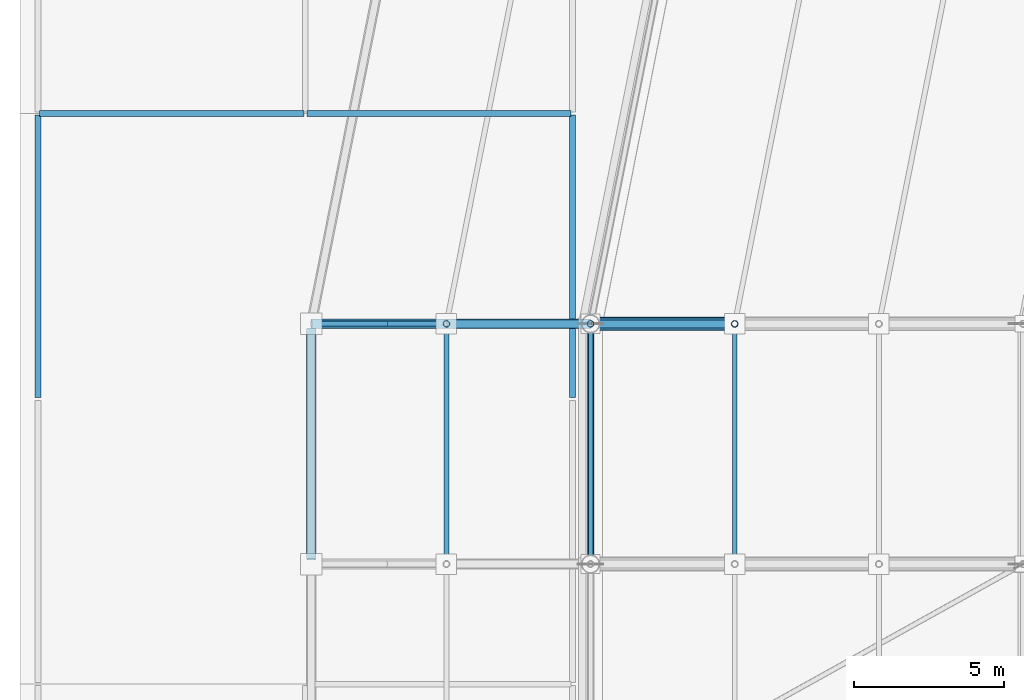
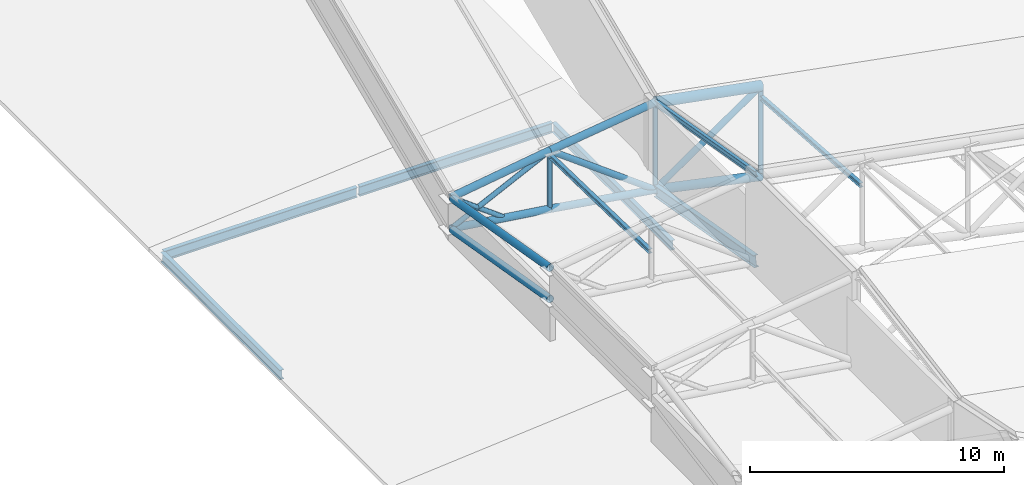
# One storey, part 39 of 146: 17 members, 6 beams.
"""IFC4 building model written with IfcOpenShell, lengths in metres."""

from ifc_helpers import new_model, si_unit, direction, frame, origin, origin_2d, place, context, subcontext, project, spatial, hollow_circle, i_section, extrude, material, material_profile, profile_set, type_object, element, save


model = new_model("IFC4")

# Units and contexts
model_context = context("Model", 3, precision=1e-05, world=origin(), true_north=direction((0.0, 1.0)))
body_context = subcontext(model_context, "Body", "Model", "MODEL_VIEW")
ifc_project = project(units=[si_unit("LENGTHUNIT", "METRE"), si_unit("AREAUNIT", "SQUARE_METRE"), si_unit("VOLUMEUNIT", "CUBIC_METRE"), si_unit("PLANEANGLEUNIT", "RADIAN"), si_unit("MASSUNIT", "GRAM", prefix="KILO")], contexts=[model_context])

# Site, building, storey
site_placement = place(None, origin())
site = spatial("IfcSite", under=ifc_project, at=site_placement, CompositionType="ELEMENT")
building_placement = place(site_placement, origin())
building = spatial("IfcBuilding", under=site, at=building_placement, Name="Candeia Ridge Stadium", CompositionType="ELEMENT")
storey_placement = place(building_placement, frame((0.0, 0.0, 31.800048828125)))
storey = spatial("IfcBuildingStorey", under=building, at=storey_placement, Name="RF", CompositionType="ELEMENT", Elevation=31.800048828125)

# Beams
ifc_material = material(Name="Steel ASTM A572 Grade 50", Category="steel")
ifc_material_profile_1 = material_profile(ifc_material, i_section(OverallWidth=0.14794921875, OverallDepth=0.26611328125, WebThickness=0.007568359375, FlangeThickness=0.012939453125, FilletRadius=0.010986328125, at=origin_2d()), Name="W250x44.8", Category="steel")
ifc_profile_set_1 = profile_set([ifc_material_profile_1], Name="Steel ASTM A572 Grade 50")
beam_type_1 = type_object("IfcBeamType", Name="Canopy Edge Spandrel W250x44.8", PredefinedType="SPANDREL", material=ifc_profile_set_1)
beam_1_placement = place(storey_placement, frame((19.0, 94.960693359375, 4.606689453125), z_axis=(0.0, -0.985328318339, 0.170669578656), x_axis=(1.0, 0.0, 0.0)))
element("IfcBeam", 1, at=beam_1_placement, inside=storey, type_object=beam_type_1, Name="Roof crown cap ring beam bay 12", PredefinedType="SPANDREL", context=body_context, shape_type="SweptSolid", body=[
    extrude(i_section(OverallWidth=0.14794921875, OverallDepth=0.26611328125, WebThickness=0.007568359375, FlangeThickness=0.012939453125, FilletRadius=0.010986328125, at=origin_2d()), origin(), (0.0, 0.0, 1.0), 8.039306640625),
])
ifc_material_profile_2 = material_profile(ifc_material, i_section(OverallWidth=0.194091796875, OverallDepth=0.468994140625, WebThickness=0.0126953125, FlangeThickness=0.0205078125, FilletRadius=0.012939453125, at=origin_2d()), Name="W460x106", Category="steel")
ifc_profile_set_2 = profile_set([ifc_material_profile_2], Name="Steel ASTM A572 Grade 50")
beam_type_2 = type_object("IfcBeamType", Name="Gondola Primary Girder W460x106", PredefinedType="BEAM", material=ifc_profile_set_2)
for number, where, z_axis, x_axis, name in (
    (2, (0.64990234375, 102.0, -0.58447265625), (1.0, 0.0, 0.0), (0.0, 1.0, 0.0), "Structural girder BM-RF-1442"),
    (3, (9.550048828125, 102.0, -0.58447265625), (1.0, 0.0, 0.0), (0.0, 1.0, 0.0), "Structural girder BM-RF-1449"),
):
    element("IfcBeam", number, at=place(storey_placement, frame(where, z_axis=z_axis, x_axis=x_axis)), inside=storey, type_object=beam_type_2, Name=name, PredefinedType="BEAM", context=body_context, shape_type="SweptSolid", body=[
        extrude(i_section(OverallWidth=0.194091796875, OverallDepth=0.468994140625, WebThickness=0.0126953125, FlangeThickness=0.0205078125, FilletRadius=0.012939453125, at=origin_2d()), origin(), (0.0, 0.0, 1.0), 8.800048828125),
    ])
ifc_material_profile_3 = material_profile(ifc_material, i_section(OverallWidth=0.18994140625, OverallDepth=0.45703125, WebThickness=0.009033203125, FlangeThickness=0.014404296875, FilletRadius=0.012939453125, at=origin_2d()), Name="W460x74", Category="steel")
ifc_profile_set_3 = profile_set([ifc_material_profile_3], Name="Steel ASTM A572 Grade 50")
beam_type_3 = type_object("IfcBeamType", Name="Pavilion Steel Girder W460x74", PredefinedType="BEAM", material=ifc_profile_set_3)
for number, where, z_axis, x_axis, name in (
    (4, (0.60009765625, 92.550048828125, -0.57861328125), (0.0, 1.0, 0.0), (-1.0, 0.0, 0.0), "Structural girder BM-RF-1424"),
    (5, (18.39990234375, 92.550048828125, -0.57861328125), (0.0, 1.0, 0.0), (-1.0, 0.0, 0.0), "Structural girder BM-RF-1437"),
):
    element("IfcBeam", number, at=place(storey_placement, frame(where, z_axis=z_axis, x_axis=x_axis)), inside=storey, type_object=beam_type_3, Name=name, PredefinedType="BEAM", context=body_context, shape_type="SweptSolid", body=[
        extrude(i_section(OverallWidth=0.18994140625, OverallDepth=0.45703125, WebThickness=0.009033203125, FlangeThickness=0.014404296875, FilletRadius=0.012939453125, at=origin_2d()), origin(), (0.0, 0.0, 1.0), 9.39990234375),
    ])
ifc_material_profile_4 = material_profile(ifc_material, i_section(OverallWidth=0.2119140625, OverallDepth=0.5439453125, WebThickness=0.01318359375, FlangeThickness=0.021240234375, FilletRadius=0.013916015625, at=origin_2d()), Name="W530x123", Category="steel")
ifc_profile_set_4 = profile_set([ifc_material_profile_4], Name="Steel ASTM A572 Grade 50")
beam_type_4 = type_object("IfcBeamType", Name="Roof Perimeter Ring Beam W530x123", PredefinedType="BEAM", material=ifc_profile_set_4)
beam_2_placement = place(storey_placement, frame((19.0, 94.960693359375, 0.40673828125), z_axis=(0.0, -0.985328318339, 0.170669578656), x_axis=(1.0, 0.0, 0.0)))
element("IfcBeam", 6, at=beam_2_placement, inside=storey, type_object=beam_type_4, Name="Roof perimeter ring beam bay 12", PredefinedType="BEAM", context=body_context, shape_type="SweptSolid", body=[
    extrude(i_section(OverallWidth=0.2119140625, OverallDepth=0.5439453125, WebThickness=0.01318359375, FlangeThickness=0.021240234375, FilletRadius=0.013916015625, at=origin_2d()), origin(), (0.0, 0.0, 1.0), 8.039306640625),
])

# Members
ifc_material_profile_5 = material_profile(ifc_material, i_section(OverallWidth=0.1650390625, OverallDepth=0.200927734375, WebThickness=0.006103515625, FlangeThickness=0.01025390625, FilletRadius=0.010009765625, at=origin_2d()), Name="W200x35.9", Category="steel")
ifc_profile_set_5 = profile_set([ifc_material_profile_5], Name="Steel ASTM A572 Grade 50")
member_type_1 = type_object("IfcMemberType", Name="Roof Purlin W200x35.9", PredefinedType="PURLIN", material=ifc_profile_set_5)
member_1_placement = place(storey_placement, frame((23.800048828125, 94.9501953125, 3.195556640625), z_axis=(0.0, -0.997559396595, 0.069822992376), x_axis=(1.0, 0.0, 0.0)))
element("IfcMember", 7, at=member_1_placement, inside=storey, type_object=member_type_1, Name="Saddle roof steel purlin bay 12-4", PredefinedType="PURLIN", context=body_context, shape_type="SweptSolid", body=[
    extrude(i_section(OverallWidth=0.1650390625, OverallDepth=0.200927734375, WebThickness=0.006103515625, FlangeThickness=0.01025390625, FilletRadius=0.010009765625, at=origin_2d()), origin(), (0.0, 0.0, 1.0), 7.919677734375),
])
member_2_placement = place(storey_placement, frame((14.199951171875, 94.949951171875, 3.739501953125), z_axis=(0.0, -0.999705859837, 0.024252707212), x_axis=(1.0, 0.0, 0.0)))
element("IfcMember", 8, at=member_2_placement, inside=storey, type_object=member_type_1, Name="Saddle roof steel purlin bay 12-5", PredefinedType="PURLIN", context=body_context, shape_type="SweptSolid", body=[
    extrude(i_section(OverallWidth=0.1650390625, OverallDepth=0.200927734375, WebThickness=0.006103515625, FlangeThickness=0.01025390625, FilletRadius=0.010009765625, at=origin_2d()), origin(), (0.0, 0.0, 1.0), 7.90234375),
])
ifc_material_profile_6 = material_profile(ifc_material, hollow_circle(Radius=0.161865234375, WallThickness=0.012451171875, at=origin_2d()), Name="CHS323x12", Category="steel")
ifc_profile_set_6 = profile_set([ifc_material_profile_6], Name="Steel ASTM A572 Grade 50")
member_type_2 = type_object("IfcMemberType", Name="Roof Truss Eaves Chord CHS323x12", PredefinedType="CHORD", material=ifc_profile_set_6)
member_3_placement = place(storey_placement, frame((19.0, 95.0, 4.599853515625), z_axis=(-0.991184698971, 0.0, -0.132487329683), x_axis=(0.0, -1.0, 0.0)))
element("IfcMember", 9, at=member_3_placement, inside=storey, type_object=member_type_2, Name="Roof cantilever truss RT-12 top chord 7", PredefinedType="CHORD", context=body_context, shape_type="SweptSolid", body=[
    extrude(hollow_circle(Radius=0.161865234375, WallThickness=0.012451171875, at=origin_2d()), origin(), (0.0, 0.0, 1.0), 4.8427734375),
])
member_4_placement = place(storey_placement, frame((19.0, 95.0, 0.39990234375), z_axis=(-0.987950881294, 0.0, 0.154767749066), x_axis=(0.0, -1.0, 0.0)))
element("IfcMember", 10, at=member_4_placement, inside=storey, type_object=member_type_2, Name="Roof cantilever truss RT-12 bottom chord 7", PredefinedType="CHORD", context=body_context, shape_type="SweptSolid", body=[
    extrude(hollow_circle(Radius=0.161865234375, WallThickness=0.012451171875, at=origin_2d()), origin(), (0.0, 0.0, 1.0), 4.858642578125),
])
member_5_placement = place(storey_placement, frame((14.199951171875, 95.0, 3.958251953125), z_axis=(-0.988863828185, 0.0, -0.148823147753), x_axis=(0.0, -1.0, 0.0)))
element("IfcMember", 11, at=member_5_placement, inside=storey, type_object=member_type_2, Name="Roof cantilever truss RT-12 top chord 8", PredefinedType="CHORD", context=body_context, shape_type="SweptSolid", body=[
    extrude(hollow_circle(Radius=0.161865234375, WallThickness=0.012451171875, at=origin_2d()), origin(), (0.0, 0.0, 1.0), 4.55078125),
])
member_6_placement = place(storey_placement, frame((14.199951171875, 95.0, 1.15185546875), z_axis=(-0.990367404155, 0.0, 0.138464453153), x_axis=(0.0, -1.0, 0.0)))
element("IfcMember", 12, at=member_6_placement, inside=storey, type_object=member_type_2, Name="Roof cantilever truss RT-12 bottom chord 8", PredefinedType="CHORD", context=body_context, shape_type="SweptSolid", body=[
    extrude(hollow_circle(Radius=0.161865234375, WallThickness=0.012451171875, at=origin_2d()), origin(), (0.0, 0.0, 1.0), 4.543701171875),
])
for number, where, z_axis, x_axis, name in (
    (13, (9.699951171875, 94.84228515625, 3.308349609375), (0.0, -0.985333505605, 0.170639628258), (1.0, 0.0, 0.0), "Saddle roof outer eaves top ring chord bay 12"),
    (14, (9.699951171875, 94.84228515625, 1.808349609375), (0.0, -0.985333505605, 0.170639628258), (1.0, 0.0, 0.0), "Saddle roof outer eaves bottom ring chord bay 12"),
):
    element("IfcMember", number, at=place(storey_placement, frame(where, z_axis=z_axis, x_axis=x_axis)), inside=storey, type_object=member_type_2, Name=name, PredefinedType="CHORD", context=body_context, shape_type="SweptSolid", body=[
        extrude(hollow_circle(Radius=0.161865234375, WallThickness=0.012451171875, at=origin_2d()), origin(), (0.0, 0.0, 1.0), 7.799072265625),
    ])
ifc_material_profile_7 = material_profile(ifc_material, hollow_circle(Radius=0.136474609375, WallThickness=0.010009765625, at=origin_2d()), Name="CHS273x10", Category="steel")
ifc_profile_set_7 = profile_set([ifc_material_profile_7], Name="Steel ASTM A572 Grade 50")
member_type_3 = type_object("IfcMemberType", Name="Roof Truss Heavy Web Brace CHS273x10", PredefinedType="BRACE", material=ifc_profile_set_7)
member_7_placement = place(storey_placement, frame((23.800048828125, 95.0, 3.7119140625), z_axis=(-0.823081876777, 0.0, -0.567922727245), x_axis=(0.0, -1.0, 0.0)))
element("IfcMember", 15, at=member_7_placement, inside=storey, type_object=member_type_3, Name="Roof cantilever truss RT-12 diagonal web 6", PredefinedType="BRACE", context=body_context, shape_type="SweptSolid", body=[
    extrude(hollow_circle(Radius=0.136474609375, WallThickness=0.010009765625, at=origin_2d()), origin(), (0.0, 0.0, 1.0), 5.831787109375),
])
member_8_placement = place(storey_placement, frame((19.0, 95.0, 0.39990234375), z_axis=(-0.803336374347, 0.0, 0.595525540721), x_axis=(0.0, -1.0, 0.0)))
element("IfcMember", 16, at=member_8_placement, inside=storey, type_object=member_type_3, Name="Roof cantilever truss RT-12 diagonal web 7", PredefinedType="BRACE", context=body_context, shape_type="SweptSolid", body=[
    extrude(hollow_circle(Radius=0.136474609375, WallThickness=0.010009765625, at=origin_2d()), origin(), (0.0, 0.0, 1.0), 5.97509765625),
])
ifc_material_profile_8 = material_profile(ifc_material, hollow_circle(Radius=0.109619140625, WallThickness=0.010009765625, at=origin_2d()), Name="CHS219x10", Category="steel")
ifc_profile_set_8 = profile_set([ifc_material_profile_8], Name="Steel ASTM A572 Grade 50")
member_type_4 = type_object("IfcMemberType", Name="Roof Truss Inner Web Brace CHS219x10", PredefinedType="BRACE", material=ifc_profile_set_8)
member_9_placement = place(storey_placement, frame((14.199951171875, 95.0, 3.958251953125), z_axis=(-0.900172839827, 0.0, -0.43553284427), x_axis=(0.0, -1.0, 0.0)))
element("IfcMember", 17, at=member_9_placement, inside=storey, type_object=member_type_4, Name="Roof cantilever truss RT-12 diagonal web 8", PredefinedType="BRACE", context=body_context, shape_type="SweptSolid", body=[
    extrude(hollow_circle(Radius=0.109619140625, WallThickness=0.010009765625, at=origin_2d()), origin(), (0.0, 0.0, 1.0), 4.9990234375),
])
member_10_placement = place(storey_placement, frame((23.800048828125, 95.0, -0.621337890625), z_axis=(0.0, 0.0, 1.0), x_axis=(1.0, 0.0, 0.0)))
element("IfcMember", 18, at=member_10_placement, inside=storey, type_object=member_type_4, Name="Roof cantilever truss RT-12 vertical post 5", PredefinedType="BRACE", context=body_context, shape_type="SweptSolid", body=[
    extrude(hollow_circle(Radius=0.109619140625, WallThickness=0.010009765625, at=origin_2d()), origin(), (0.0, 0.0, 1.0), 4.333251953125),
])
member_11_placement = place(storey_placement, frame((19.0, 95.0, 0.39990234375), z_axis=(0.0, 0.0, 1.0), x_axis=(1.0, 0.0, 0.0)))
element("IfcMember", 19, at=member_11_placement, inside=storey, type_object=member_type_4, Name="Roof cantilever truss RT-12 vertical post 6", PredefinedType="BRACE", context=body_context, shape_type="SweptSolid", body=[
    extrude(hollow_circle(Radius=0.109619140625, WallThickness=0.010009765625, at=origin_2d()), origin(), (0.0, 0.0, 1.0), 4.199951171875),
])
member_12_placement = place(storey_placement, frame((14.199951171875, 95.0, 1.15185546875), z_axis=(0.0, 0.0, 1.0), x_axis=(1.0, 0.0, 0.0)))
element("IfcMember", 20, at=member_12_placement, inside=storey, type_object=member_type_4, Name="Roof cantilever truss RT-12 vertical post 7", PredefinedType="BRACE", context=body_context, shape_type="SweptSolid", body=[
    extrude(hollow_circle(Radius=0.109619140625, WallThickness=0.010009765625, at=origin_2d()), origin(), (0.0, 0.0, 1.0), 2.806396484375),
])
member_13_placement = place(storey_placement, frame((12.175048828125, 95.0, 1.43505859375), z_axis=(-0.80161013398, 0.0, 0.597847131883), x_axis=(0.0, -1.0, 0.0)))
element("IfcMember", 21, at=member_13_placement, inside=storey, type_object=member_type_4, Name="Roof cantilever truss RT-12 vertical post 8", PredefinedType="BRACE", context=body_context, shape_type="SweptSolid", body=[
    extrude(hollow_circle(Radius=0.109619140625, WallThickness=0.010009765625, at=origin_2d()), origin(), (0.0, 0.0, 1.0), 3.087646484375),
])
ifc_material_profile_9 = material_profile(ifc_material, hollow_circle(Radius=0.228515625, WallThickness=0.02001953125, at=origin_2d()), Name="CHS457x20", Category="steel")
ifc_profile_set_9 = profile_set([ifc_material_profile_9], Name="Steel ASTM A572 Grade 50")
member_type_5 = type_object("IfcMemberType", Name="Roof Truss Main Chord CHS457x20", PredefinedType="CHORD", material=ifc_profile_set_9)
member_14_placement = place(storey_placement, frame((23.800048828125, 95.0, 3.7119140625), z_axis=(-0.983317142098, 0.0, 0.181899417416), x_axis=(0.0, -1.0, 0.0)))
element("IfcMember", 22, at=member_14_placement, inside=storey, type_object=member_type_5, Name="Roof cantilever truss RT-12 top chord 6", PredefinedType="CHORD", context=body_context, shape_type="SweptSolid", body=[
    extrude(hollow_circle(Radius=0.228515625, WallThickness=0.02001953125, at=origin_2d()), origin(), (0.0, 0.0, 1.0), 4.881591796875),
])
ifc_material_profile_10 = material_profile(ifc_material, hollow_circle(Radius=0.202880859375, WallThickness=0.01611328125, at=origin_2d()), Name="CHS406x16", Category="steel")
ifc_profile_set_10 = profile_set([ifc_material_profile_10], Name="Steel ASTM A572 Grade 50")
member_type_6 = type_object("IfcMemberType", Name="Roof Truss Outer Chord CHS406x16", PredefinedType="CHORD", material=ifc_profile_set_10)
member_15_placement = place(storey_placement, frame((23.800048828125, 95.0, -0.621337890625), z_axis=(-0.97810786804, 0.0, 0.208098530696), x_axis=(0.0, -1.0, 0.0)))
element("IfcMember", 23, at=member_15_placement, inside=storey, type_object=member_type_6, Name="Roof cantilever truss RT-12 bottom chord 6", PredefinedType="CHORD", context=body_context, shape_type="SweptSolid", body=[
    extrude(hollow_circle(Radius=0.202880859375, WallThickness=0.01611328125, at=origin_2d()), origin(), (0.0, 0.0, 1.0), 4.907470703125),
])

save(model, "model.ifc")
